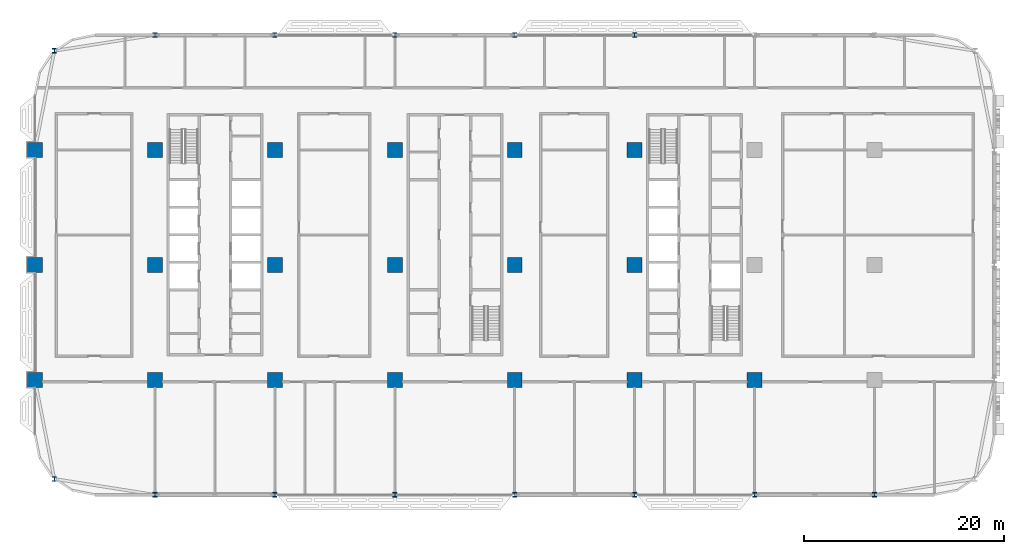
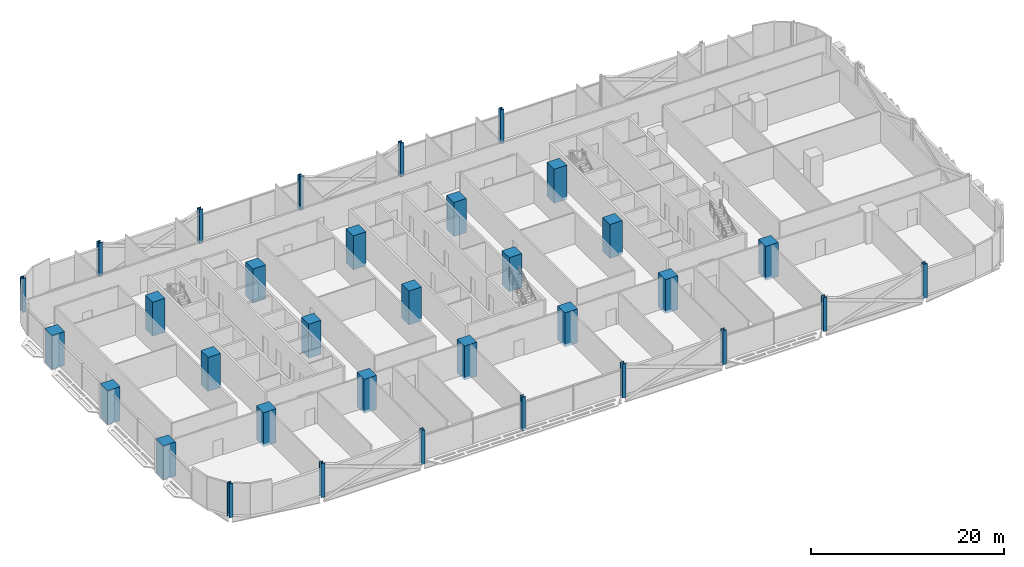
# One storey, part 1 of 29: 33 columns.
"""IFC4 building model written with IfcOpenShell, lengths in metres."""

from ifc_helpers import new_model, si_unit, direction, frame, origin, origin_2d, place, context, subcontext, project, spatial, rectangle, i_section, extrude, material, material_profile, profile_set, type_object, element, save


model = new_model("IFC4")

# Units and contexts
model_context = context("Model", 3, precision=1e-05, world=origin(), true_north=direction((0.0, 1.0)))
body_context = subcontext(model_context, "Body", "Model", "MODEL_VIEW")
ifc_project = project(units=[si_unit("LENGTHUNIT", "METRE"), si_unit("AREAUNIT", "SQUARE_METRE"), si_unit("VOLUMEUNIT", "CUBIC_METRE"), si_unit("PLANEANGLEUNIT", "RADIAN"), si_unit("MASSUNIT", "GRAM", prefix="KILO")], contexts=[model_context])

# Site, building, storey
site_placement = place(None, origin())
site = spatial("IfcSite", under=ifc_project, at=site_placement, CompositionType="ELEMENT")
building_placement = place(site_placement, origin())
building = spatial("IfcBuilding", under=site, at=building_placement, Name="Mahtab Terrace Research Tower", CompositionType="ELEMENT")
storey_placement = place(building_placement, frame((0.0, 0.0, 54.60009765625)))
storey = spatial("IfcBuildingStorey", under=building, at=storey_placement, Name="L12", CompositionType="ELEMENT", Elevation=54.60009765625)

# Columns
ifc_material_1 = material(Name="Concrete C70/85", Category="concrete")
ifc_material_profile_1 = material_profile(ifc_material_1, rectangle(XDim=1.5, YDim=1.5, at=origin_2d()), Name="RC column 1500x1500")
ifc_profile_set_1 = profile_set([ifc_material_profile_1], Name="Concrete C70/85")
column_type_1 = type_object("IfcColumnType", Name="RC column 1500x1500", PredefinedType="COLUMN", material=ifc_profile_set_1)
for number, where, z_axis, x_axis, name in (
    (1, (-42.0, -11.5, -0.340087890625), (0.0, 0.0, 1.0), (1.0, 0.0, 0.0), "Column RC-1A L12"),
    (2, (-42.0, 0.0, -0.340087890625), (0.0, 0.0, 1.0), (1.0, 0.0, 0.0), "Column RC-1B L12"),
    (3, (-42.0, 11.5, -0.340087890625), (0.0, 0.0, 1.0), (1.0, 0.0, 0.0), "Column RC-1C L12"),
    (4, (-30.0, -11.5, -0.340087890625), (0.0, 0.0, 1.0), (1.0, 0.0, 0.0), "Column RC-2A L12"),
    (5, (-30.0, 0.0, -0.340087890625), (0.0, 0.0, 1.0), (1.0, 0.0, 0.0), "Column RC-2B L12"),
    (6, (-30.0, 11.5, -0.340087890625), (0.0, 0.0, 1.0), (1.0, 0.0, 0.0), "Column RC-2C L12"),
    (7, (-18.0, -11.5, -0.340087890625), (0.0, 0.0, 1.0), (1.0, 0.0, 0.0), "Column RC-3A L12"),
    (8, (-18.0, 0.0, -0.340087890625), (0.0, 0.0, 1.0), (1.0, 0.0, 0.0), "Column RC-3B L12"),
    (9, (-18.0, 11.5, -0.340087890625), (0.0, 0.0, 1.0), (1.0, 0.0, 0.0), "Column RC-3C L12"),
    (10, (-6.0, -11.5, -0.340087890625), (0.0, 0.0, 1.0), (1.0, 0.0, 0.0), "Column RC-4A L12"),
    (11, (-6.0, 0.0, -0.340087890625), (0.0, 0.0, 1.0), (1.0, 0.0, 0.0), "Column RC-4B L12"),
    (12, (-6.0, 11.5, -0.340087890625), (0.0, 0.0, 1.0), (1.0, 0.0, 0.0), "Column RC-4C L12"),
    (13, (6.0, -11.5, -0.340087890625), (0.0, 0.0, 1.0), (1.0, 0.0, 0.0), "Column RC-5A L12"),
    (14, (6.0, 0.0, -0.340087890625), (0.0, 0.0, 1.0), (1.0, 0.0, 0.0), "Column RC-5B L12"),
    (15, (6.0, 11.5, -0.340087890625), (0.0, 0.0, 1.0), (1.0, 0.0, 0.0), "Column RC-5C L12"),
    (16, (18.0, -11.5, -0.340087890625), (0.0, 0.0, 1.0), (1.0, 0.0, 0.0), "Column RC-6A L12"),
    (17, (18.0, 0.0, -0.340087890625), (0.0, 0.0, 1.0), (1.0, 0.0, 0.0), "Column RC-6B L12"),
    (18, (18.0, 11.5, -0.340087890625), (0.0, 0.0, 1.0), (1.0, 0.0, 0.0), "Column RC-6C L12"),
    (19, (30.0, -11.5, -0.340087890625), (0.0, 0.0, 1.0), (1.0, 0.0, 0.0), "Column RC-7A L12"),
):
    element("IfcColumn", number, at=place(storey_placement, frame(where, z_axis=z_axis, x_axis=x_axis)), inside=storey, type_object=column_type_1, Name=name, PredefinedType="COLUMN", context=body_context, shape_type="SweptSolid", body=[
        extrude(rectangle(XDim=1.5, YDim=1.5, at=origin_2d()), origin(), (0.0, 0.0, 1.0), 4.300048828125),
    ])
ifc_material_2 = material(Name="Steel ASTM A992 Gr 50", Category="steel")
ifc_material_profile_2 = material_profile(ifc_material_2, i_section(OverallWidth=0.42431640625, OverallDepth=0.47509765625, WebThickness=0.0478515625, FlangeThickness=0.0771484375, at=origin_2d()), Name="W14X426")
ifc_profile_set_2 = profile_set([ifc_material_profile_2], Name="Steel ASTM A992 Gr 50")
column_type_2 = type_object("IfcColumnType", Name="W14x426 column CS14426", PredefinedType="COLUMN", material=ifc_profile_set_2)
for number, where, z_axis, x_axis, name in (
    (20, (18.0, 23.0, -0.340087890625), (0.0, 0.0, 1.0), (1.0, 0.0, 0.0), "Column SC-003 L12"),
    (21, (6.0, 23.0, -0.340087890625), (0.0, 0.0, 1.0), (1.0, 0.0, 0.0), "Column SC-004 L12"),
    (22, (-6.0, 23.0, -0.340087890625), (0.0, 0.0, 1.0), (1.0, 0.0, 0.0), "Column SC-005 L12"),
    (23, (-18.0, 23.0, -0.340087890625), (0.0, 0.0, 1.0), (1.0, 0.0, 0.0), "Column SC-006 L12"),
    (24, (-30.0, 23.0, -0.340087890625), (0.0, 0.0, 1.0), (1.0, 0.0, 0.0), "Column SC-007 L12"),
    (25, (-40.06201171875, 21.416015625, -0.340087890625), (0.0, 0.0, 1.0), (1.0, 0.0, 0.0), "Column SC-024 L12"),
    (26, (-40.06201171875, -21.416015625, -0.340087890625), (0.0, 0.0, 1.0), (1.0, 0.0, 0.0), "Column SC-025 L12"),
    (27, (-30.0, -23.0, -0.340087890625), (0.0, 0.0, 1.0), (1.0, 0.0, 0.0), "Column SC-013 L12"),
    (28, (-18.0, -23.0, -0.340087890625), (0.0, 0.0, 1.0), (1.0, 0.0, 0.0), "Column SC-014 L12"),
    (29, (-6.0, -23.0, -0.340087890625), (0.0, 0.0, 1.0), (1.0, 0.0, 0.0), "Column SC-015 L12"),
    (30, (6.0, -23.0, -0.340087890625), (0.0, 0.0, 1.0), (1.0, 0.0, 0.0), "Column SC-016 L12"),
    (31, (18.0, -23.0, -0.340087890625), (0.0, 0.0, 1.0), (1.0, 0.0, 0.0), "Column SC-017 L12"),
    (32, (30.0, -23.0, -0.340087890625), (0.0, 0.0, 1.0), (1.0, 0.0, 0.0), "Column SC-018 L12"),
    (33, (42.0, -23.0, -0.340087890625), (0.0, 0.0, 1.0), (1.0, 0.0, 0.0), "Column SC-019 L12"),
):
    element("IfcColumn", number, at=place(storey_placement, frame(where, z_axis=z_axis, x_axis=x_axis)), inside=storey, type_object=column_type_2, Name=name, PredefinedType="COLUMN", context=body_context, shape_type="SweptSolid", body=[
        extrude(i_section(OverallWidth=0.42431640625, OverallDepth=0.47509765625, WebThickness=0.0478515625, FlangeThickness=0.0771484375, at=origin_2d()), origin(), (0.0, 0.0, 1.0), 4.300048828125),
    ])

save(model, "model.ifc")
